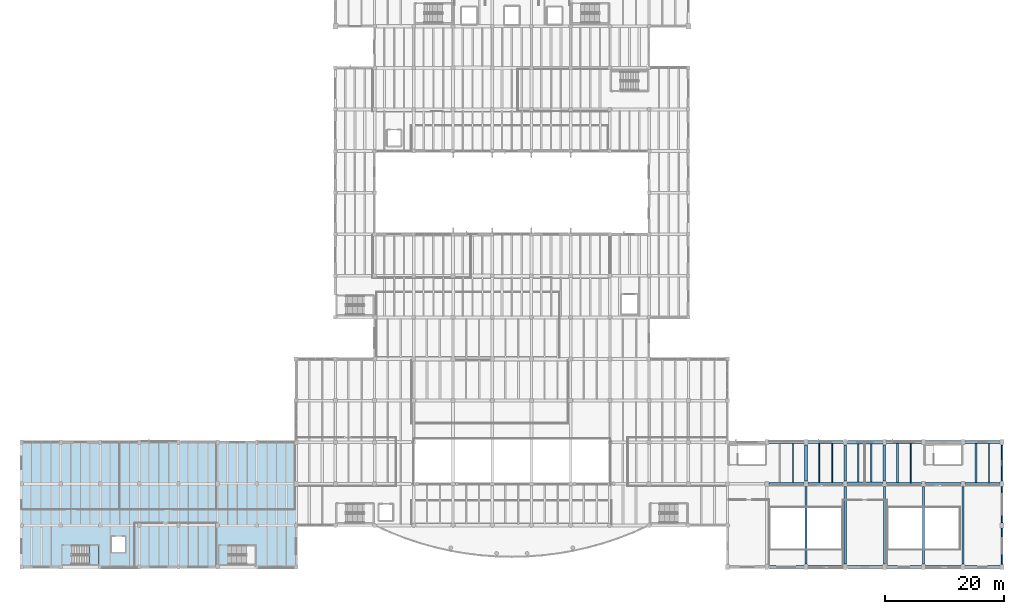
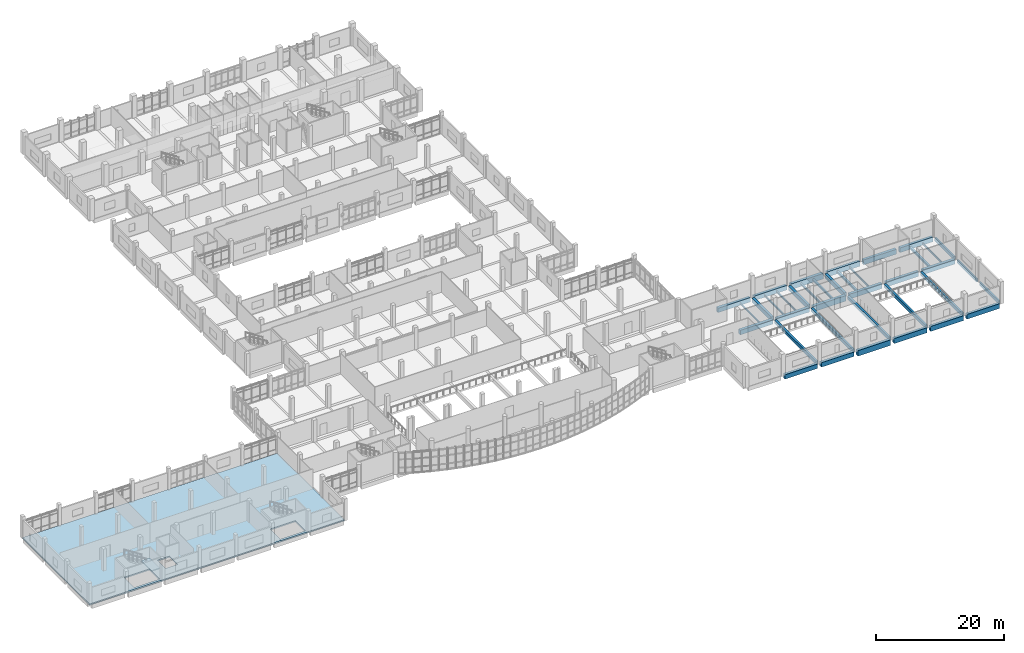
# One storey, part 32 of 68: 38 beams, 2 slabs, 1 element without a shape of its own.
"""IFC4 building model written with IfcOpenShell, lengths in metres."""

from ifc_helpers import new_model, si_unit, direction, frame, origin, origin_2d, place, context, subcontext, project, spatial, polyline, rectangle, i_section, outline, extrude, material, layer, layer_set, material_profile, profile_set, type_object, element, aggregate, save


model = new_model("IFC4")

# Units and contexts
model_context = context("Model", 3, precision=1e-05, world=origin(), true_north=direction((0.0, 1.0)))
body_context = subcontext(model_context, "Body", "Model", "MODEL_VIEW")
ifc_project = project(units=[si_unit("LENGTHUNIT", "METRE"), si_unit("AREAUNIT", "SQUARE_METRE"), si_unit("VOLUMEUNIT", "CUBIC_METRE"), si_unit("PLANEANGLEUNIT", "RADIAN"), si_unit("MASSUNIT", "GRAM", prefix="KILO")], contexts=[model_context])

# Site, building, storey
site_placement = place(None, origin())
site = spatial("IfcSite", under=ifc_project, at=site_placement, CompositionType="ELEMENT")
building_placement = place(site_placement, origin())
building = spatial("IfcBuilding", under=site, at=building_placement, Name="Ciguamira Faculty of Natural Sciences", CompositionType="ELEMENT")
storey_placement = place(building_placement, frame((0.0, 0.0, 4.199951171875)))
storey = spatial("IfcBuildingStorey", under=building, at=storey_placement, Name="L01", CompositionType="ELEMENT", Elevation=4.199951171875)

# Beams
ifc_material_1 = material(Name="Concrete C40/50", Category="concrete")
ifc_material_profile_1 = material_profile(ifc_material_1, rectangle(XDim=0.550048828125, YDim=1.050048828125, at=origin_2d()), Name="RC-BM-550X1050")
ifc_profile_set_1 = profile_set([ifc_material_profile_1], Name="Concrete C40/50")
beam_type_1 = type_object("IfcBeamType", Name="RCBeam_BG-01_RC-BM-550X1050", PredefinedType="BEAM", material=ifc_profile_set_1)
for number, where, z_axis, x_axis, name in (
    (1, (143.449951171875, 3.0, -0.52490234375), (1.0, 0.0, 0.0), (0.0, 1.0, 0.0), "L01 RC girder EW-0368"),
    (2, (143.449951171875, 17.0, -0.52490234375), (1.0, 0.0, 0.0), (0.0, 1.0, 0.0), "L01 RC girder EW-0411"),
    (3, (143.449951171875, 24.0, -0.52490234375), (1.0, 0.0, 0.0), (0.0, 1.0, 0.0), "L01 RC girder EW-0431"),
):
    element("IfcBeam", number, at=place(storey_placement, frame(where, z_axis=z_axis, x_axis=x_axis)), inside=storey, type_object=beam_type_1, Name=name, PredefinedType="BEAM", context=body_context, shape_type="SweptSolid", body=[
        extrude(rectangle(XDim=0.550048828125, YDim=1.050048828125, at=origin_2d()), origin(), (0.0, 0.0, 1.0), 5.900146484375),
    ])
ifc_material_profile_2 = material_profile(ifc_material_1, rectangle(XDim=0.5, YDim=0.949951171875, at=origin_2d()), Name="RC-BM-500X950")
ifc_profile_set_2 = profile_set([ifc_material_profile_2], Name="Concrete C40/50")
beam_type_2 = type_object("IfcBeamType", Name="RCBeam_BG-02_RC-BM-500X950", PredefinedType="BEAM", material=ifc_profile_set_2)
beam_1_placement = place(storey_placement, frame((150.050048828125, 3.0, -0.474853515625), z_axis=(1.0, 0.0, 0.0), x_axis=(0.0, 1.0, 0.0)))
element("IfcBeam", 4, at=beam_1_placement, inside=storey, type_object=beam_type_2, Name="L01 RC girder EW-0369", PredefinedType="BEAM", context=body_context, shape_type="SweptSolid", body=[
    extrude(rectangle(XDim=0.5, YDim=0.949951171875, at=origin_2d()), origin(), (0.0, 0.0, 1.0), 5.89990234375),
])
beam_2_placement = place(storey_placement, frame((156.64990234375, 3.0, -0.474853515625), z_axis=(1.0, 0.0, 0.0), x_axis=(0.0, 1.0, 0.0)))
element("IfcBeam", 5, at=beam_2_placement, inside=storey, type_object=beam_type_2, Name="L01 RC girder EW-0370", PredefinedType="BEAM", context=body_context, shape_type="SweptSolid", body=[
    extrude(rectangle(XDim=0.5, YDim=0.949951171875, at=origin_2d()), origin(), (0.0, 0.0, 1.0), 5.900146484375),
])
beam_3_placement = place(storey_placement, frame((150.050048828125, 17.0, -0.474853515625), z_axis=(1.0, 0.0, 0.0), x_axis=(0.0, 1.0, 0.0)))
element("IfcBeam", 6, at=beam_3_placement, inside=storey, type_object=beam_type_2, Name="L01 RC girder EW-0412", PredefinedType="BEAM", context=body_context, shape_type="SweptSolid", body=[
    extrude(rectangle(XDim=0.5, YDim=0.949951171875, at=origin_2d()), origin(), (0.0, 0.0, 1.0), 5.89990234375),
])
beam_4_placement = place(storey_placement, frame((156.64990234375, 17.0, -0.474853515625), z_axis=(1.0, 0.0, 0.0), x_axis=(0.0, 1.0, 0.0)))
element("IfcBeam", 7, at=beam_4_placement, inside=storey, type_object=beam_type_2, Name="L01 RC girder EW-0413", PredefinedType="BEAM", context=body_context, shape_type="SweptSolid", body=[
    extrude(rectangle(XDim=0.5, YDim=0.949951171875, at=origin_2d()), origin(), (0.0, 0.0, 1.0), 5.900146484375),
])
beam_5_placement = place(storey_placement, frame((150.050048828125, 24.0, -0.474853515625), z_axis=(1.0, 0.0, 0.0), x_axis=(0.0, 1.0, 0.0)))
element("IfcBeam", 8, at=beam_5_placement, inside=storey, type_object=beam_type_2, Name="L01 RC girder EW-0432", PredefinedType="BEAM", context=body_context, shape_type="SweptSolid", body=[
    extrude(rectangle(XDim=0.5, YDim=0.949951171875, at=origin_2d()), origin(), (0.0, 0.0, 1.0), 5.89990234375),
])
beam_6_placement = place(storey_placement, frame((156.64990234375, 24.0, -0.474853515625), z_axis=(1.0, 0.0, 0.0), x_axis=(0.0, 1.0, 0.0)))
element("IfcBeam", 9, at=beam_6_placement, inside=storey, type_object=beam_type_2, Name="L01 RC girder EW-0433", PredefinedType="BEAM", context=body_context, shape_type="SweptSolid", body=[
    extrude(rectangle(XDim=0.5, YDim=0.949951171875, at=origin_2d()), origin(), (0.0, 0.0, 1.0), 5.900146484375),
])
ifc_material_profile_3 = material_profile(ifc_material_1, rectangle(XDim=0.5, YDim=0.89990234375, at=origin_2d()), Name="RC-BM-500X900")
ifc_profile_set_3 = profile_set([ifc_material_profile_3], Name="Concrete C40/50")
beam_type_3 = type_object("IfcBeamType", Name="RCBeam_BG-03_RC-BM-500X900", PredefinedType="BEAM", material=ifc_profile_set_3)
for number, where, z_axis, x_axis, name in (
    (10, (163.25, 3.0, -0.449951171875), (1.0, 0.0, 0.0), (0.0, 1.0, 0.0), "L01 RC girder EW-0371"),
    (11, (163.25, 17.0, -0.449951171875), (1.0, 0.0, 0.0), (0.0, 1.0, 0.0), "L01 RC girder EW-0414"),
    (12, (163.25, 24.0, -0.449951171875), (1.0, 0.0, 0.0), (0.0, 1.0, 0.0), "L01 RC girder EW-0434"),
):
    element("IfcBeam", number, at=place(storey_placement, frame(where, z_axis=z_axis, x_axis=x_axis)), inside=storey, type_object=beam_type_3, Name=name, PredefinedType="BEAM", context=body_context, shape_type="SweptSolid", body=[
        extrude(rectangle(XDim=0.5, YDim=0.89990234375, at=origin_2d()), origin(), (0.0, 0.0, 1.0), 5.89990234375),
    ])
ifc_material_profile_4 = material_profile(ifc_material_1, rectangle(XDim=0.43994140625, YDim=0.780029296875, at=origin_2d()), Name="RC-BM-440X780")
ifc_profile_set_4 = profile_set([ifc_material_profile_4], Name="Concrete C40/50")
beam_type_4 = type_object("IfcBeamType", Name="RCBeam_BG-06_RC-BM-440X780", PredefinedType="BEAM", material=ifc_profile_set_4)
for number, where, z_axis, x_axis, name in (
    (13, (136.5, 17.47509765625, -0.389892578125), (0.0, 1.0, 0.0), (-1.0, 0.0, 0.0), "L01 girder NS-0695"),
    (14, (143.10009765625, 17.47509765625, -0.389892578125), (0.0, 1.0, 0.0), (-1.0, 0.0, 0.0), "L01 girder NS-0697"),
    (15, (149.699951171875, 17.47509765625, -0.389892578125), (0.0, 1.0, 0.0), (-1.0, 0.0, 0.0), "L01 girder NS-0699"),
):
    element("IfcBeam", number, at=place(storey_placement, frame(where, z_axis=z_axis, x_axis=x_axis)), inside=storey, type_object=beam_type_4, Name=name, PredefinedType="BEAM", context=body_context, shape_type="SweptSolid", body=[
        extrude(rectangle(XDim=0.43994140625, YDim=0.780029296875, at=origin_2d()), origin(), (0.0, 0.0, 1.0), 6.0498046875),
    ])
ifc_material_profile_5 = material_profile(ifc_material_1, rectangle(XDim=0.360107421875, YDim=0.639892578125, at=origin_2d()), Name="RC-BM-360X640")
ifc_profile_set_5 = profile_set([ifc_material_profile_5], Name="Concrete C40/50")
beam_type_5 = type_object("IfcBeamType", Name="RCBeam_BG-10_RC-BM-360X640", PredefinedType="BEAM", material=ifc_profile_set_5)
for number, where, z_axis, x_axis, name in (
    (16, (136.5, 3.47509765625, -0.320068359375), (0.0, 1.0, 0.0), (-1.0, 0.0, 0.0), "L01 girder NS-0694"),
    (17, (143.10009765625, 3.47509765625, -0.320068359375), (0.0, 1.0, 0.0), (-1.0, 0.0, 0.0), "L01 girder NS-0696"),
    (18, (149.699951171875, 3.47509765625, -0.320068359375), (0.0, 1.0, 0.0), (-1.0, 0.0, 0.0), "L01 girder NS-0698"),
    (19, (156.300048828125, 3.47509765625, -0.320068359375), (0.0, 1.0, 0.0), (-1.0, 0.0, 0.0), "L01 girder NS-0700"),
    (20, (162.89990234375, 3.47509765625, -0.320068359375), (0.0, 1.0, 0.0), (-1.0, 0.0, 0.0), "L01 girder NS-0701"),
):
    element("IfcBeam", number, at=place(storey_placement, frame(where, z_axis=z_axis, x_axis=x_axis)), inside=storey, type_object=beam_type_5, Name=name, PredefinedType="BEAM", context=body_context, shape_type="SweptSolid", body=[
        extrude(rectangle(XDim=0.360107421875, YDim=0.639892578125, at=origin_2d()), origin(), (0.0, 0.0, 1.0), 13.0498046875),
    ])
ifc_material_2 = material(Name="Precast concrete C40/50", Category="concrete")
ifc_material_profile_6 = material_profile(ifc_material_2, rectangle(XDim=0.280029296875, YDim=0.6201171875, at=origin_2d()), Name="RC-SP-280X620")
ifc_profile_set_6 = profile_set([ifc_material_profile_6], Name="Precast concrete C40/50")
beam_type_6 = type_object("IfcBeamType", Name="RCBeam_SP-01_RC-SP-280X620", PredefinedType="SPANDREL", material=ifc_profile_set_6)
for number, where, z_axis, x_axis, name in (
    (21, (169.5, 3.47509765625, -0.31005859375), (0.0, 1.0, 0.0), (-1.0, 0.0, 0.0), "L01 girder NS-0702"),
    (22, (169.5, 10.47509765625, -0.31005859375), (0.0, 1.0, 0.0), (-1.0, 0.0, 0.0), "L01 girder NS-0703"),
    (23, (169.5, 17.47509765625, -0.31005859375), (0.0, 1.0, 0.0), (-1.0, 0.0, 0.0), "L01 girder NS-0704"),
):
    element("IfcBeam", number, at=place(storey_placement, frame(where, z_axis=z_axis, x_axis=x_axis)), inside=storey, type_object=beam_type_6, Name=name, PredefinedType="SPANDREL", context=body_context, shape_type="SweptSolid", body=[
        extrude(rectangle(XDim=0.280029296875, YDim=0.6201171875, at=origin_2d()), origin(), (0.0, 0.0, 1.0), 6.0498046875),
    ])
ifc_material_profile_7 = material_profile(ifc_material_1, rectangle(XDim=0.52001953125, YDim=0.840087890625, at=origin_2d()), Name="RC-TB-520X840")
ifc_profile_set_7 = profile_set([ifc_material_profile_7], Name="Concrete C40/50")
beam_type_7 = type_object("IfcBeamType", Name="RCBeam_TB-02_RC-TB-520X840", PredefinedType="T_BEAM", material=ifc_profile_set_7)
for number, where, z_axis, x_axis, name in (
    (24, (130.25, 3.0, -0.419921875), (1.0, 0.0, 0.0), (0.0, 1.0, 0.0), "L01 RC girder EW-0366"),
    (25, (136.85009765625, 3.0, -0.419921875), (1.0, 0.0, 0.0), (0.0, 1.0, 0.0), "L01 RC girder EW-0367"),
    (26, (130.25, 17.0, -0.419921875), (1.0, 0.0, 0.0), (0.0, 1.0, 0.0), "L01 RC girder EW-0409"),
    (27, (136.85009765625, 17.0, -0.419921875), (1.0, 0.0, 0.0), (0.0, 1.0, 0.0), "L01 RC girder EW-0410"),
    (28, (130.25, 24.0, -0.419921875), (1.0, 0.0, 0.0), (0.0, 1.0, 0.0), "L01 RC girder EW-0429"),
    (29, (136.85009765625, 24.0, -0.419921875), (1.0, 0.0, 0.0), (0.0, 1.0, 0.0), "L01 RC girder EW-0430"),
):
    element("IfcBeam", number, at=place(storey_placement, frame(where, z_axis=z_axis, x_axis=x_axis)), inside=storey, type_object=beam_type_7, Name=name, PredefinedType="T_BEAM", context=body_context, shape_type="SweptSolid", body=[
        extrude(rectangle(XDim=0.52001953125, YDim=0.840087890625, at=origin_2d()), origin(), (0.0, 0.0, 1.0), 5.89990234375),
    ])
ifc_material_3 = material(Name="Steel ASTM A992 Grade 50", Category="steel")
ifc_material_profile_8 = material_profile(ifc_material_3, i_section(OverallWidth=0.2021484375, OverallDepth=0.2470703125, WebThickness=0.00732421875, FlangeThickness=0.010986328125, at=origin_2d()), Name="W10X33")
ifc_profile_set_8 = profile_set([ifc_material_profile_8], Name="Steel ASTM A992 Grade 50")
beam_type_8 = type_object("IfcBeamType", Name="SteelJoist_SJ-02_W10X33", PredefinedType="JOIST", material=ifc_profile_set_8)
beam_7_placement = place(storey_placement, frame((134.300048828125, 17.219970703125, -0.4736328125), z_axis=(0.0, 1.0, 0.0), x_axis=(-1.0, 0.0, 0.0)))
element("IfcBeam", 30, at=beam_7_placement, inside=storey, type_object=beam_type_8, Name="L01 composite steel joist 00636", PredefinedType="JOIST", context=body_context, shape_type="SweptSolid", body=[
    extrude(i_section(OverallWidth=0.2021484375, OverallDepth=0.2470703125, WebThickness=0.00732421875, FlangeThickness=0.010986328125, at=origin_2d()), origin(), (0.0, 0.0, 1.0), 6.56005859375),
])
ifc_material_profile_9 = material_profile(ifc_material_3, i_section(OverallWidth=0.164794921875, OverallDepth=0.309814453125, WebThickness=0.005859375, FlangeThickness=0.009765625, at=origin_2d()), Name="W12X26")
ifc_profile_set_9 = profile_set([ifc_material_profile_9], Name="Steel ASTM A992 Grade 50")
beam_type_9 = type_object("IfcBeamType", Name="SteelJoist_SJ-04_W12X26", PredefinedType="JOIST", material=ifc_profile_set_9)
beam_8_placement = place(storey_placement, frame((138.699951171875, 17.219970703125, -0.5048828125), z_axis=(0.0, 1.0, 0.0), x_axis=(-1.0, 0.0, 0.0)))
element("IfcBeam", 31, at=beam_8_placement, inside=storey, type_object=beam_type_9, Name="L01 composite steel joist 00637", PredefinedType="JOIST", context=body_context, shape_type="SweptSolid", body=[
    extrude(i_section(OverallWidth=0.164794921875, OverallDepth=0.309814453125, WebThickness=0.005859375, FlangeThickness=0.009765625, at=origin_2d()), origin(), (0.0, 0.0, 1.0), 6.56005859375),
])
ifc_material_profile_10 = material_profile(ifc_material_3, i_section(OverallWidth=0.16650390625, OverallDepth=0.3173828125, WebThickness=0.007568359375, FlangeThickness=0.01318359375, at=origin_2d()), Name="W12X35")
ifc_profile_set_10 = profile_set([ifc_material_profile_10], Name="Steel ASTM A992 Grade 50")
beam_type_10 = type_object("IfcBeamType", Name="SteelJoist_SJ-05_W12X35", PredefinedType="JOIST", material=ifc_profile_set_10)
beam_9_placement = place(storey_placement, frame((140.89990234375, 17.219970703125, -0.508544921875), z_axis=(0.0, 1.0, 0.0), x_axis=(-1.0, 0.0, 0.0)))
element("IfcBeam", 32, at=beam_9_placement, inside=storey, type_object=beam_type_10, Name="L01 composite steel joist 00638", PredefinedType="JOIST", context=body_context, shape_type="SweptSolid", body=[
    extrude(i_section(OverallWidth=0.16650390625, OverallDepth=0.3173828125, WebThickness=0.007568359375, FlangeThickness=0.01318359375, at=origin_2d()), origin(), (0.0, 0.0, 1.0), 6.56005859375),
])
ifc_material_profile_11 = material_profile(ifc_material_3, i_section(OverallWidth=0.25390625, OverallDepth=0.307373046875, WebThickness=0.0087890625, FlangeThickness=0.0146484375, at=origin_2d()), Name="W12X53")
ifc_profile_set_11 = profile_set([ifc_material_profile_11], Name="Steel ASTM A992 Grade 50")
beam_type_11 = type_object("IfcBeamType", Name="SteelJoist_SJ-07_W12X53", PredefinedType="JOIST", material=ifc_profile_set_11)
beam_10_placement = place(storey_placement, frame((145.300048828125, 17.235107421875, -0.503662109375), z_axis=(0.0, 1.0, 0.0), x_axis=(-1.0, 0.0, 0.0)))
element("IfcBeam", 33, at=beam_10_placement, inside=storey, type_object=beam_type_11, Name="L01 composite steel joist 00639", PredefinedType="JOIST", context=body_context, shape_type="SweptSolid", body=[
    extrude(i_section(OverallWidth=0.25390625, OverallDepth=0.307373046875, WebThickness=0.0087890625, FlangeThickness=0.0146484375, at=origin_2d()), origin(), (0.0, 0.0, 1.0), 6.52978515625),
])
ifc_material_profile_12 = material_profile(ifc_material_3, i_section(OverallWidth=0.3046875, OverallDepth=0.307373046875, WebThickness=0.010009765625, FlangeThickness=0.015380859375, at=origin_2d()), Name="W12X65")
ifc_profile_set_12 = profile_set([ifc_material_profile_12], Name="Steel ASTM A992 Grade 50")
beam_type_12 = type_object("IfcBeamType", Name="SteelJoist_SJ-08_W12X65", PredefinedType="JOIST", material=ifc_profile_set_12)
beam_11_placement = place(storey_placement, frame((147.5, 17.235107421875, -0.503662109375), z_axis=(0.0, 1.0, 0.0), x_axis=(-1.0, 0.0, 0.0)))
element("IfcBeam", 34, at=beam_11_placement, inside=storey, type_object=beam_type_12, Name="L01 composite steel joist 00640", PredefinedType="JOIST", context=body_context, shape_type="SweptSolid", body=[
    extrude(i_section(OverallWidth=0.3046875, OverallDepth=0.307373046875, WebThickness=0.010009765625, FlangeThickness=0.015380859375, at=origin_2d()), origin(), (0.0, 0.0, 1.0), 6.52978515625),
])
ifc_material_profile_13 = material_profile(ifc_material_3, i_section(OverallWidth=0.373291015625, OverallDepth=0.373291015625, WebThickness=0.016357421875, FlangeThickness=0.026123046875, at=origin_2d()), Name="W14X132")
ifc_profile_set_13 = profile_set([ifc_material_profile_13], Name="Steel ASTM A992 Grade 50")
beam_type_13 = type_object("IfcBeamType", Name="SteelJoist_SJ-10_W14X132", PredefinedType="JOIST", material=ifc_profile_set_13)
beam_12_placement = place(storey_placement, frame((151.89990234375, 17.2099609375, -0.53662109375), z_axis=(0.0, 1.0, 0.0), x_axis=(-1.0, 0.0, 0.0)))
element("IfcBeam", 35, at=beam_12_placement, inside=storey, type_object=beam_type_13, Name="L01 composite steel joist 00641", PredefinedType="JOIST", context=body_context, shape_type="SweptSolid", body=[
    extrude(i_section(OverallWidth=0.373291015625, OverallDepth=0.373291015625, WebThickness=0.016357421875, FlangeThickness=0.026123046875, at=origin_2d()), origin(), (0.0, 0.0, 1.0), 6.580078125),
])
ifc_material_profile_14 = material_profile(ifc_material_3, i_section(OverallWidth=0.1708984375, OverallDepth=0.3505859375, WebThickness=0.0068359375, FlangeThickness=0.009765625, at=origin_2d()), Name="W14X30")
ifc_profile_set_14 = profile_set([ifc_material_profile_14], Name="Steel ASTM A992 Grade 50")
beam_type_14 = type_object("IfcBeamType", Name="SteelJoist_SJ-11_W14X30", PredefinedType="JOIST", material=ifc_profile_set_14)
beam_13_placement = place(storey_placement, frame((154.10009765625, 17.2099609375, -0.525146484375), z_axis=(0.0, 1.0, 0.0), x_axis=(-1.0, 0.0, 0.0)))
element("IfcBeam", 36, at=beam_13_placement, inside=storey, type_object=beam_type_14, Name="L01 composite steel joist 00642", PredefinedType="JOIST", context=body_context, shape_type="SweptSolid", body=[
    extrude(i_section(OverallWidth=0.1708984375, OverallDepth=0.3505859375, WebThickness=0.0068359375, FlangeThickness=0.009765625, at=origin_2d()), origin(), (0.0, 0.0, 1.0), 6.580078125),
])
ifc_material_profile_15 = material_profile(ifc_material_3, i_section(OverallWidth=0.368408203125, OverallDepth=0.355712890625, WebThickness=0.01123046875, FlangeThickness=0.01806640625, at=origin_2d()), Name="W14X90")
ifc_profile_set_15 = profile_set([ifc_material_profile_15], Name="Steel ASTM A992 Grade 50")
beam_type_15 = type_object("IfcBeamType", Name="SteelJoist_SJ-16_W14X90", PredefinedType="JOIST", material=ifc_profile_set_15)
beam_14_placement = place(storey_placement, frame((165.10009765625, 17.2099609375, -0.52783203125), z_axis=(0.0, 1.0, 0.0), x_axis=(-1.0, 0.0, 0.0)))
element("IfcBeam", 37, at=beam_14_placement, inside=storey, type_object=beam_type_15, Name="L01 composite steel joist 00643", PredefinedType="JOIST", context=body_context, shape_type="SweptSolid", body=[
    extrude(i_section(OverallWidth=0.368408203125, OverallDepth=0.355712890625, WebThickness=0.01123046875, FlangeThickness=0.01806640625, at=origin_2d()), origin(), (0.0, 0.0, 1.0), 6.580078125),
])
ifc_material_profile_16 = material_profile(ifc_material_3, i_section(OverallWidth=0.140380859375, OverallDepth=0.40380859375, WebThickness=0.007080078125, FlangeThickness=0.01123046875, at=origin_2d()), Name="W16X31")
ifc_profile_set_16 = profile_set([ifc_material_profile_16], Name="Steel ASTM A992 Grade 50")
beam_type_16 = type_object("IfcBeamType", Name="SteelJoist_SJ-17_W16X31", PredefinedType="JOIST", material=ifc_profile_set_16)
beam_15_placement = place(storey_placement, frame((167.300048828125, 17.2099609375, -0.5517578125), z_axis=(0.0, 1.0, 0.0), x_axis=(-1.0, 0.0, 0.0)))
element("IfcBeam", 38, at=beam_15_placement, inside=storey, type_object=beam_type_16, Name="L01 composite steel joist 00644", PredefinedType="JOIST", context=body_context, shape_type="SweptSolid", body=[
    extrude(i_section(OverallWidth=0.140380859375, OverallDepth=0.40380859375, WebThickness=0.007080078125, FlangeThickness=0.01123046875, at=origin_2d()), origin(), (0.0, 0.0, 1.0), 6.580078125),
])

# Slab
ifc_layer_1 = layer(ifc_material_1, 0.260009765625, Name="Concrete C40/50")
ifc_layer_set_1 = layer_set([ifc_layer_1], Name="Concrete C40/50")
slab_type_1 = type_object("IfcSlabType", Name="Slab_SF-04_260", PredefinedType="FLOOR", material=ifc_layer_set_1)
slab_1_placement = place(storey_placement, frame((0.0, 0.0, -0.260009765625)))
element("IfcSlab", 39, at=slab_1_placement, inside=storey, type_object=slab_type_1, Name="L01 V2 structural slab", PredefinedType="FLOOR", context=body_context, shape_type="SweptSolid", body=[
    extrude(outline(polyline([(4.5, 3.0), (50.64990234375, 3.0), (50.64990234375, 24.0), (4.5, 24.0), (4.5, 3.0)]), holes=[polyline([(12.860107421875, 3.449951171875), (17.449951171875, 3.449951171875), (17.449951171875, 6.610107421875), (12.860107421875, 6.610107421875), (12.860107421875, 3.449951171875)]), polyline([(39.260009765625, 3.449951171875), (43.85009765625, 3.449951171875), (43.85009765625, 6.610107421875), (39.260009765625, 6.610107421875), (39.260009765625, 3.449951171875)]), polyline([(19.699951171875, 5.5), (21.89990234375, 5.5), (21.89990234375, 8.10009765625), (19.699951171875, 8.10009765625), (19.699951171875, 5.5)])]), origin(), (0.0, 0.0, 1.0), 0.260009765625),
])

# Stair, slab
stair_type = type_object("IfcStairType", Name="Stair_STR-01", PredefinedType="HALF_TURN_STAIR", material=ifc_material_1)
stair_placement = place(storey_placement, origin())
stair = element("IfcStair", 40, at=stair_placement, inside=storey, type_object=stair_type, Name="L01 Commons West Exit Stair", PredefinedType="HALF_TURN_STAIR")
ifc_layer_2 = layer(ifc_material_1, 0.199951171875, Name="Concrete C40/50")
ifc_layer_set_2 = layer_set([ifc_layer_2], Name="Concrete C40/50")
slab_type_2 = type_object("IfcSlabType", Name="StairLanding_SLD01", PredefinedType="LANDING", material=ifc_layer_set_2)
slab_2_placement = place(storey_placement, frame((0.0, 0.0, 1.900146484375)))
slab_2 = element("IfcSlab", 41, at=slab_2_placement, type_object=slab_type_2, Name="ST-C1 landing 1", PredefinedType="LANDING", context=body_context, shape_type="SweptSolid", body=[
    extrude(outline(polyline([(15.93994140625, 3.449951171875), (17.449951171875, 3.449951171875), (17.449951171875, 6.610107421875), (15.93994140625, 6.610107421875), (15.93994140625, 3.449951171875)])), origin(), (0.0, 0.0, 1.0), 0.199951171875),
])
aggregate(stair, [slab_2])

save(model, "model.ifc")
